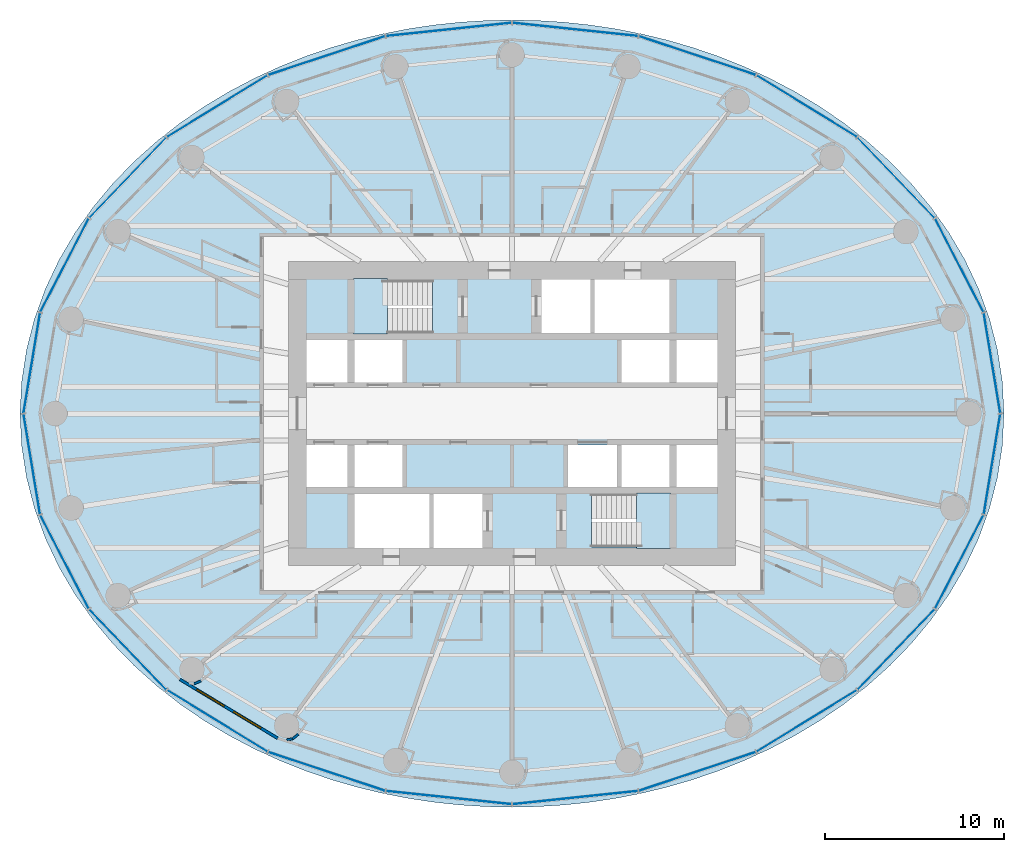
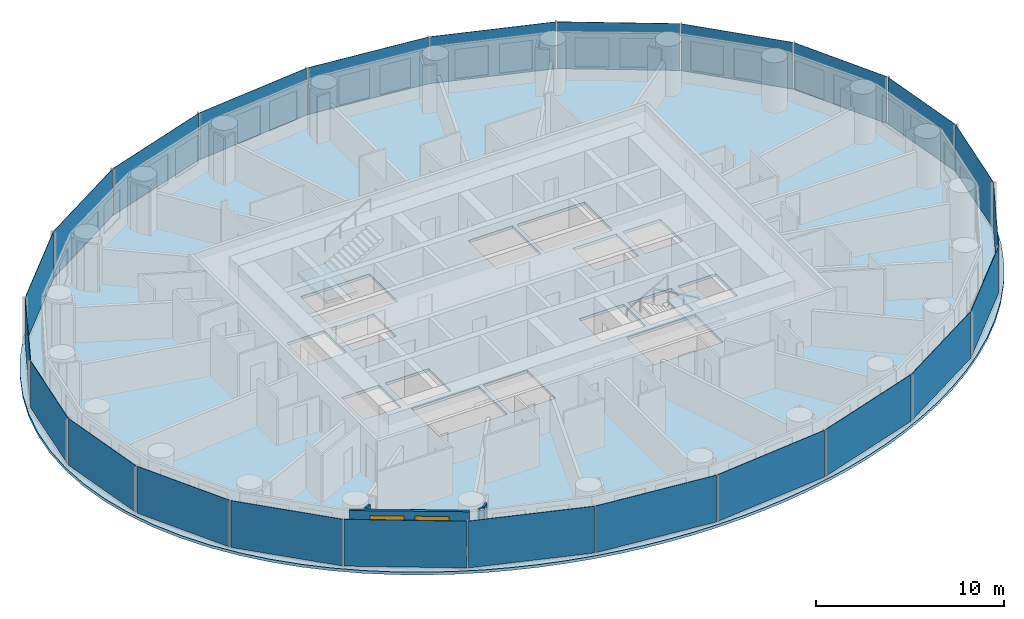
# One storey, part 5 of 14: 24 plates, 4 walls, 3 slabs, 2 windows, 2 openings, 6 elements without a shape of their own.
"""IFC4 building model written with IfcOpenShell, lengths in metres."""

from ifc_helpers import new_model, si_unit, direction, frame, frame_2d, origin, origin_2d, place, context, subcontext, project, spatial, polyline, rectangle, outline, extrude, material, layer, layer_set, type_object, element, fill, aggregate, save


model = new_model("IFC4")

# Units and contexts
model_context = context("Model", 3, precision=1e-05, world=origin(), true_north=direction((0.0, 1.0)))
body_context = subcontext(model_context, "Body", "Model", "MODEL_VIEW")
ifc_project = project(units=[si_unit("LENGTHUNIT", "METRE"), si_unit("AREAUNIT", "SQUARE_METRE"), si_unit("VOLUMEUNIT", "CUBIC_METRE"), si_unit("PLANEANGLEUNIT", "RADIAN"), si_unit("MASSUNIT", "GRAM", prefix="KILO")], contexts=[model_context])

# Site, building, storey
site_placement = place(None, origin())
site = spatial("IfcSite", under=ifc_project, at=site_placement, CompositionType="ELEMENT")
building_placement = place(site_placement, origin())
building = spatial("IfcBuilding", under=site, at=building_placement, Name="Hankou Lantern Tower", CompositionType="ELEMENT")
storey_placement = place(building_placement, frame((0.0, 0.0, 63.89990234375)))
storey = spatial("IfcBuildingStorey", under=building, at=storey_placement, Name="L15", CompositionType="ELEMENT", Elevation=63.89990234375)

# Curtain wall, plates
ifc_material_1 = material(Name="Glass, dark grey tinted laminated", Category="glass")
curtain_wall_type = type_object("IfcCurtainWallType", Name="CWA OUTER SKIN LOW-RISE", PredefinedType="USERDEFINED", material=ifc_material_1)
curtain_wall_1_placement = place(storey_placement, origin())
curtain_wall_1 = element("IfcCurtainWall", 1, at=curtain_wall_1_placement, inside=storey, type_object=curtain_wall_type, Name="CWA L15 OS1", ObjectType="OUTER SKIN LOW-RISE", PredefinedType="USERDEFINED")
ifc_material_2 = material(Name="Glass, dark grey tinted laminated", Category="glass")
ifc_layer_1 = layer(ifc_material_2, 0.02392578125)
ifc_layer_set_1 = layer_set([ifc_layer_1], Name="Glass, dark grey tinted laminated")
plate_type = type_object("IfcPlateType", Name="PN1 OUTER SKIN GLASS PANEL", PredefinedType="CURTAIN_PANEL", material=ifc_layer_set_1)
plate_1_placement = place(storey_placement, frame((26.8349609375, 2.826416015625, 0.080078125), z_axis=(0.0, 0.0, 1.0), x_axis=(-0.162381515188, 0.986728049427, 0.0)))
plate_1 = element("IfcPlate", 2, at=plate_1_placement, type_object=plate_type, Name="CWA glass panel 1", PredefinedType="CURTAIN_PANEL", context=body_context, shape_type="SweptSolid", body=[
    extrude(rectangle(XDim=5.648681640625, YDim=0.02392578125, at=origin_2d()), origin(), (0.0, 0.0, 1.0), 3.0400390625),
])
plate_2_placement = place(storey_placement, frame((25.006103515625, 8.286376953125, 0.080078125), z_axis=(0.0, 0.0, 1.0), x_axis=(-0.459791091957, 0.888027112062, 0.0)))
plate_2 = element("IfcPlate", 3, at=plate_2_placement, type_object=plate_type, Name="CWA glass panel 2", PredefinedType="CURTAIN_PANEL", context=body_context, shape_type="SweptSolid", body=[
    extrude(rectangle(XDim=5.8515625, YDim=0.02392578125, at=origin_2d()), origin(), (0.0, 0.0, 1.0), 3.0400390625),
])
plate_3_placement = place(storey_placement, frame((21.47314453125, 13.181640625, 0.080078125), z_axis=(0.0, 0.0, 1.0), x_axis=(-0.692215809936, 0.721690565599, 0.0)))
plate_3 = element("IfcPlate", 4, at=plate_3_placement, type_object=plate_type, Name="CWA glass panel 3", PredefinedType="CURTAIN_PANEL", context=body_context, shape_type="SweptSolid", body=[
    extrude(rectangle(XDim=6.1875, YDim=0.02392578125, at=origin_2d()), origin(), (0.0, 0.0, 1.0), 3.0400390625),
])
plate_4_placement = place(storey_placement, frame((16.47705078125, 17.1787109375, 0.080078125), z_axis=(0.0, 0.0, 1.0), x_axis=(-0.852237151549, 0.523155653242, 0.0)))
plate_4 = element("IfcPlate", 5, at=plate_4_placement, type_object=plate_type, Name="CWA glass panel 4", PredefinedType="CURTAIN_PANEL", context=body_context, shape_type="SweptSolid", body=[
    extrude(rectangle(XDim=6.554443359375, YDim=0.02392578125, at=origin_2d()), origin(), (0.0, 0.0, 1.0), 3.0400390625),
])
plate_5_placement = place(storey_placement, frame((10.35791015625, 20.0048828125, 0.080078125), z_axis=(0.0, 0.0, 1.0), x_axis=(-0.949240677293, 0.31455068999, 0.0)))
plate_5 = element("IfcPlate", 6, at=plate_5_placement, type_object=plate_type, Name="CWA glass panel 5", PredefinedType="CURTAIN_PANEL", context=body_context, shape_type="SweptSolid", body=[
    extrude(rectangle(XDim=6.856201171875, YDim=0.02392578125, at=origin_2d()), origin(), (0.0, 0.0, 1.0), 3.0400390625),
])
plate_6_placement = place(storey_placement, frame((3.532958984375, 21.468017578125, 0.080078125), z_axis=(0.0, 0.0, 1.0), x_axis=(-0.994499359107, 0.104742659579, 0.0)))
plate_6 = element("IfcPlate", 7, at=plate_6_placement, type_object=plate_type, Name="CWA glass panel 6", PredefinedType="CURTAIN_PANEL", context=body_context, shape_type="SweptSolid", body=[
    extrude(rectangle(XDim=7.02490234375, YDim=0.02392578125, at=origin_2d()), origin(), (0.0, 0.0, 1.0), 3.0400390625),
])
aggregate(curtain_wall_1, [plate_1, plate_2, plate_3, plate_4, plate_5, plate_6])

curtain_wall_2_placement = place(storey_placement, origin())
curtain_wall_2 = element("IfcCurtainWall", 8, at=curtain_wall_2_placement, inside=storey, type_object=curtain_wall_type, Name="CWA L15 OS2", ObjectType="OUTER SKIN LOW-RISE", PredefinedType="USERDEFINED")
plate_7_placement = place(storey_placement, frame((-3.532958984375, 21.468017578125, 0.080078125), z_axis=(0.0, 0.0, 1.0), x_axis=(-0.994499359107, -0.104742659579, 0.0)))
plate_7 = element("IfcPlate", 9, at=plate_7_placement, type_object=plate_type, Name="CWA glass panel 1", PredefinedType="CURTAIN_PANEL", context=body_context, shape_type="SweptSolid", body=[
    extrude(rectangle(XDim=7.02490234375, YDim=0.02392578125, at=origin_2d()), origin(), (0.0, 0.0, 1.0), 3.0400390625),
])
plate_8_placement = place(storey_placement, frame((-10.35791015625, 20.0048828125, 0.080078125), z_axis=(0.0, 0.0, 1.0), x_axis=(-0.949240677293, -0.31455068999, 0.0)))
plate_8 = element("IfcPlate", 10, at=plate_8_placement, type_object=plate_type, Name="CWA glass panel 2", PredefinedType="CURTAIN_PANEL", context=body_context, shape_type="SweptSolid", body=[
    extrude(rectangle(XDim=6.856201171875, YDim=0.02392578125, at=origin_2d()), origin(), (0.0, 0.0, 1.0), 3.0400390625),
])
plate_9_placement = place(storey_placement, frame((-16.47705078125, 17.1787109375, 0.080078125), z_axis=(0.0, 0.0, 1.0), x_axis=(-0.852237151549, -0.523155653242, 0.0)))
plate_9 = element("IfcPlate", 11, at=plate_9_placement, type_object=plate_type, Name="CWA glass panel 3", PredefinedType="CURTAIN_PANEL", context=body_context, shape_type="SweptSolid", body=[
    extrude(rectangle(XDim=6.554443359375, YDim=0.02392578125, at=origin_2d()), origin(), (0.0, 0.0, 1.0), 3.0400390625),
])
plate_10_placement = place(storey_placement, frame((-21.47314453125, 13.181640625, 0.080078125), z_axis=(0.0, 0.0, 1.0), x_axis=(-0.692215809936, -0.721690565599, 0.0)))
plate_10 = element("IfcPlate", 12, at=plate_10_placement, type_object=plate_type, Name="CWA glass panel 4", PredefinedType="CURTAIN_PANEL", context=body_context, shape_type="SweptSolid", body=[
    extrude(rectangle(XDim=6.1875, YDim=0.02392578125, at=origin_2d()), origin(), (0.0, 0.0, 1.0), 3.0400390625),
])
plate_11_placement = place(storey_placement, frame((-25.006103515625, 8.286376953125, 0.080078125), z_axis=(0.0, 0.0, 1.0), x_axis=(-0.459791091957, -0.888027112062, 0.0)))
plate_11 = element("IfcPlate", 13, at=plate_11_placement, type_object=plate_type, Name="CWA glass panel 5", PredefinedType="CURTAIN_PANEL", context=body_context, shape_type="SweptSolid", body=[
    extrude(rectangle(XDim=5.8515625, YDim=0.02392578125, at=origin_2d()), origin(), (0.0, 0.0, 1.0), 3.0400390625),
])
plate_12_placement = place(storey_placement, frame((-26.8349609375, 2.826416015625, 0.080078125), z_axis=(0.0, 0.0, 1.0), x_axis=(-0.162381515188, -0.986728049427, 0.0)))
plate_12 = element("IfcPlate", 14, at=plate_12_placement, type_object=plate_type, Name="CWA glass panel 6", PredefinedType="CURTAIN_PANEL", context=body_context, shape_type="SweptSolid", body=[
    extrude(rectangle(XDim=5.648681640625, YDim=0.02392578125, at=origin_2d()), origin(), (0.0, 0.0, 1.0), 3.0400390625),
])
aggregate(curtain_wall_2, [plate_7, plate_8, plate_9, plate_10, plate_11, plate_12])

curtain_wall_3_placement = place(storey_placement, origin())
curtain_wall_3 = element("IfcCurtainWall", 15, at=curtain_wall_3_placement, inside=storey, type_object=curtain_wall_type, Name="CWA L15 OS3", ObjectType="OUTER SKIN LOW-RISE", PredefinedType="USERDEFINED")
plate_13_placement = place(storey_placement, frame((-26.8349609375, -2.826416015625, 0.080078125), z_axis=(0.0, 0.0, 1.0), x_axis=(0.162381515188, -0.986728049427, 0.0)))
plate_13 = element("IfcPlate", 16, at=plate_13_placement, type_object=plate_type, Name="CWA glass panel 1", PredefinedType="CURTAIN_PANEL", context=body_context, shape_type="SweptSolid", body=[
    extrude(rectangle(XDim=5.648681640625, YDim=0.02392578125, at=origin_2d()), origin(), (0.0, 0.0, 1.0), 3.0400390625),
])
plate_14_placement = place(storey_placement, frame((-25.006103515625, -8.286376953125, 0.080078125), z_axis=(0.0, 0.0, 1.0), x_axis=(0.459791091957, -0.888027112062, 0.0)))
plate_14 = element("IfcPlate", 17, at=plate_14_placement, type_object=plate_type, Name="CWA glass panel 2", PredefinedType="CURTAIN_PANEL", context=body_context, shape_type="SweptSolid", body=[
    extrude(rectangle(XDim=5.8515625, YDim=0.02392578125, at=origin_2d()), origin(), (0.0, 0.0, 1.0), 3.0400390625),
])
plate_15_placement = place(storey_placement, frame((-21.47314453125, -13.181640625, 0.080078125), z_axis=(0.0, 0.0, 1.0), x_axis=(0.692215809936, -0.721690565599, 0.0)))
plate_15 = element("IfcPlate", 18, at=plate_15_placement, type_object=plate_type, Name="CWA glass panel 3", PredefinedType="CURTAIN_PANEL", context=body_context, shape_type="SweptSolid", body=[
    extrude(rectangle(XDim=6.1875, YDim=0.02392578125, at=origin_2d()), origin(), (0.0, 0.0, 1.0), 3.0400390625),
])
plate_16_placement = place(storey_placement, frame((-16.47705078125, -17.1787109375, 0.080078125), z_axis=(0.0, 0.0, 1.0), x_axis=(0.852237151549, -0.523155653242, 0.0)))
plate_16 = element("IfcPlate", 19, at=plate_16_placement, type_object=plate_type, Name="CWA glass panel 4", PredefinedType="CURTAIN_PANEL", context=body_context, shape_type="SweptSolid", body=[
    extrude(rectangle(XDim=6.554443359375, YDim=0.02392578125, at=origin_2d()), origin(), (0.0, 0.0, 1.0), 3.0400390625),
])
plate_17_placement = place(storey_placement, frame((-10.35791015625, -20.0048828125, 0.080078125), z_axis=(0.0, 0.0, 1.0), x_axis=(0.949240677293, -0.31455068999, 0.0)))
plate_17 = element("IfcPlate", 20, at=plate_17_placement, type_object=plate_type, Name="CWA glass panel 5", PredefinedType="CURTAIN_PANEL", context=body_context, shape_type="SweptSolid", body=[
    extrude(rectangle(XDim=6.856201171875, YDim=0.02392578125, at=origin_2d()), origin(), (0.0, 0.0, 1.0), 3.0400390625),
])
plate_18_placement = place(storey_placement, frame((-3.532958984375, -21.468017578125, 0.080078125), z_axis=(0.0, 0.0, 1.0), x_axis=(0.994499359107, -0.104742659579, 0.0)))
plate_18 = element("IfcPlate", 21, at=plate_18_placement, type_object=plate_type, Name="CWA glass panel 6", PredefinedType="CURTAIN_PANEL", context=body_context, shape_type="SweptSolid", body=[
    extrude(rectangle(XDim=7.02490234375, YDim=0.02392578125, at=origin_2d()), origin(), (0.0, 0.0, 1.0), 3.0400390625),
])
aggregate(curtain_wall_3, [plate_13, plate_14, plate_15, plate_16, plate_17, plate_18])

curtain_wall_4_placement = place(storey_placement, origin())
curtain_wall_4 = element("IfcCurtainWall", 22, at=curtain_wall_4_placement, inside=storey, type_object=curtain_wall_type, Name="CWA L15 OS4", ObjectType="OUTER SKIN LOW-RISE", PredefinedType="USERDEFINED")
plate_19_placement = place(storey_placement, frame((3.532958984375, -21.468017578125, 0.080078125), z_axis=(0.0, 0.0, 1.0), x_axis=(0.994499359107, 0.104742659579, 0.0)))
plate_19 = element("IfcPlate", 23, at=plate_19_placement, type_object=plate_type, Name="CWA glass panel 1", PredefinedType="CURTAIN_PANEL", context=body_context, shape_type="SweptSolid", body=[
    extrude(rectangle(XDim=7.02490234375, YDim=0.02392578125, at=origin_2d()), origin(), (0.0, 0.0, 1.0), 3.0400390625),
])
plate_20_placement = place(storey_placement, frame((10.35791015625, -20.0048828125, 0.080078125), z_axis=(0.0, 0.0, 1.0), x_axis=(0.949240677293, 0.31455068999, 0.0)))
plate_20 = element("IfcPlate", 24, at=plate_20_placement, type_object=plate_type, Name="CWA glass panel 2", PredefinedType="CURTAIN_PANEL", context=body_context, shape_type="SweptSolid", body=[
    extrude(rectangle(XDim=6.856201171875, YDim=0.02392578125, at=origin_2d()), origin(), (0.0, 0.0, 1.0), 3.0400390625),
])
plate_21_placement = place(storey_placement, frame((16.47705078125, -17.1787109375, 0.080078125), z_axis=(0.0, 0.0, 1.0), x_axis=(0.852237151549, 0.523155653242, 0.0)))
plate_21 = element("IfcPlate", 25, at=plate_21_placement, type_object=plate_type, Name="CWA glass panel 3", PredefinedType="CURTAIN_PANEL", context=body_context, shape_type="SweptSolid", body=[
    extrude(rectangle(XDim=6.554443359375, YDim=0.02392578125, at=origin_2d()), origin(), (0.0, 0.0, 1.0), 3.0400390625),
])
plate_22_placement = place(storey_placement, frame((21.47314453125, -13.181640625, 0.080078125), z_axis=(0.0, 0.0, 1.0), x_axis=(0.692215809936, 0.721690565599, 0.0)))
plate_22 = element("IfcPlate", 26, at=plate_22_placement, type_object=plate_type, Name="CWA glass panel 4", PredefinedType="CURTAIN_PANEL", context=body_context, shape_type="SweptSolid", body=[
    extrude(rectangle(XDim=6.1875, YDim=0.02392578125, at=origin_2d()), origin(), (0.0, 0.0, 1.0), 3.0400390625),
])
plate_23_placement = place(storey_placement, frame((25.006103515625, -8.286376953125, 0.080078125), z_axis=(0.0, 0.0, 1.0), x_axis=(0.459791091957, 0.888027112062, 0.0)))
plate_23 = element("IfcPlate", 27, at=plate_23_placement, type_object=plate_type, Name="CWA glass panel 5", PredefinedType="CURTAIN_PANEL", context=body_context, shape_type="SweptSolid", body=[
    extrude(rectangle(XDim=5.8515625, YDim=0.02392578125, at=origin_2d()), origin(), (0.0, 0.0, 1.0), 3.0400390625),
])
plate_24_placement = place(storey_placement, frame((26.8349609375, -2.826416015625, 0.080078125), z_axis=(0.0, 0.0, 1.0), x_axis=(0.162381515188, 0.986728049427, 0.0)))
plate_24 = element("IfcPlate", 28, at=plate_24_placement, type_object=plate_type, Name="CWA glass panel 6", PredefinedType="CURTAIN_PANEL", context=body_context, shape_type="SweptSolid", body=[
    extrude(rectangle(XDim=5.648681640625, YDim=0.02392578125, at=origin_2d()), origin(), (0.0, 0.0, 1.0), 3.0400390625),
])
aggregate(curtain_wall_4, [plate_19, plate_20, plate_21, plate_22, plate_23, plate_24])

# Slab
ifc_material_3 = material(Name="Concrete C50", Category="concrete")
ifc_layer_2 = layer(ifc_material_3, 0.179931640625)
ifc_layer_set_2 = layer_set([ifc_layer_2], Name="Concrete C50")
slab_type_1 = type_object("IfcSlabType", Name="S1 CONCRETE FLOOR SLAB 180", PredefinedType="FLOOR", material=ifc_layer_set_2)
slab_1_placement = place(storey_placement, frame((0.0, 0.0, -0.179931640625)))
element("IfcSlab", 29, at=slab_1_placement, inside=storey, type_object=slab_type_1, Name="Floor slab L15", PredefinedType="FLOOR", context=body_context, shape_type="SweptSolid", body=[
    extrude(outline(polyline([(27.5, 0.0), (27.408203125, 1.79638671875), (27.135009765625, 3.572509765625), (26.6875, 5.308349609375), (26.076171875, 6.987060546875), (25.3154296875, 8.593505859375), (24.420654296875, 10.115478515625), (23.40966796875, 11.54443359375), (22.29931640625, 12.87451171875), (21.1064453125, 14.102783203125), (19.846435546875, 15.228759765625), (18.533447265625, 16.25341796875), (17.17919921875, 17.17919921875), (15.794189453125, 18.009765625), (14.38671875, 18.749267578125), (12.964111328125, 19.402099609375), (11.53125, 19.972412109375), (10.09228515625, 20.46484375), (8.650146484375, 20.88330078125), (7.20703125, 21.23095703125), (5.763916015625, 21.51123046875), (4.32177734375, 21.7265625), (2.88037109375, 21.87890625), (1.43994140625, 21.9697265625), (0.0, 22.0), (-1.43994140625, 21.9697265625), (-2.88037109375, 21.87890625), (-4.32177734375, 21.7265625), (-5.763916015625, 21.51123046875), (-7.20703125, 21.23095703125), (-8.650146484375, 20.88330078125), (-10.09228515625, 20.46484375), (-11.53125, 19.972412109375), (-12.964111328125, 19.402099609375), (-14.38671875, 18.749267578125), (-15.794189453125, 18.009765625), (-17.17919921875, 17.17919921875), (-18.533447265625, 16.25341796875), (-19.846435546875, 15.228759765625), (-21.1064453125, 14.102783203125), (-22.29931640625, 12.87451171875), (-23.40966796875, 11.54443359375), (-24.420654296875, 10.115478515625), (-25.3154296875, 8.593505859375), (-26.076171875, 6.987060546875), (-26.6875, 5.308349609375), (-27.135009765625, 3.572509765625), (-27.408203125, 1.79638671875), (-27.5, 0.0), (-27.408203125, -1.79638671875), (-27.135009765625, -3.572509765625), (-26.6875, -5.308349609375), (-26.076171875, -6.987060546875), (-25.3154296875, -8.593505859375), (-24.420654296875, -10.115478515625), (-23.40966796875, -11.54443359375), (-22.29931640625, -12.87451171875), (-21.1064453125, -14.102783203125), (-19.846435546875, -15.228759765625), (-18.533447265625, -16.25341796875), (-17.17919921875, -17.17919921875), (-15.794189453125, -18.009765625), (-14.38671875, -18.749267578125), (-12.964111328125, -19.402099609375), (-11.53125, -19.972412109375), (-10.09228515625, -20.46484375), (-8.650146484375, -20.88330078125), (-7.20703125, -21.23095703125), (-5.763916015625, -21.51123046875), (-4.32177734375, -21.7265625), (-2.88037109375, -21.87890625), (-1.43994140625, -21.9697265625), (0.0, -22.0), (1.43994140625, -21.9697265625), (2.88037109375, -21.87890625), (4.32177734375, -21.7265625), (5.763916015625, -21.51123046875), (7.20703125, -21.23095703125), (8.650146484375, -20.88330078125), (10.09228515625, -20.46484375), (11.53125, -19.972412109375), (12.964111328125, -19.402099609375), (14.38671875, -18.749267578125), (15.794189453125, -18.009765625), (17.17919921875, -17.17919921875), (18.533447265625, -16.25341796875), (19.846435546875, -15.228759765625), (21.1064453125, -14.102783203125), (22.29931640625, -12.87451171875), (23.40966796875, -11.54443359375), (24.420654296875, -10.115478515625), (25.3154296875, -8.593505859375), (26.076171875, -6.987060546875), (26.6875, -5.308349609375), (27.135009765625, -3.572509765625), (27.408203125, -1.79638671875), (27.5, 0.0)]), holes=[polyline([(-11.5, 4.10009765625), (-9.199951171875, 4.10009765625), (-9.199951171875, 1.75), (-11.5, 1.75), (-11.5, 4.10009765625)]), polyline([(-8.800048828125, 4.10009765625), (-6.125, 4.10009765625), (-6.125, 1.75), (-8.800048828125, 1.75), (-8.800048828125, 4.10009765625)]), polyline([(6.125, 4.10009765625), (8.800048828125, 4.10009765625), (8.800048828125, 1.75), (6.125, 1.75), (6.125, 4.10009765625)]), polyline([(9.199951171875, 4.10009765625), (11.5, 4.10009765625), (11.5, 1.75), (9.199951171875, 1.75), (9.199951171875, 4.10009765625)]), polyline([(-11.5, -1.75), (-9.199951171875, -1.75), (-9.199951171875, -4.10009765625), (-11.5, -4.10009765625), (-11.5, -1.75)]), polyline([(-8.800048828125, -1.75), (-6.125, -1.75), (-6.125, -4.10009765625), (-8.800048828125, -4.10009765625), (-8.800048828125, -1.75)]), polyline([(3.125, -1.75), (5.875, -1.75), (5.875, -4.10009765625), (3.125, -4.10009765625), (3.125, -1.75)]), polyline([(6.125, -1.75), (8.800048828125, -1.75), (8.800048828125, -4.10009765625), (6.125, -4.10009765625), (6.125, -1.75)]), polyline([(9.199951171875, -1.75), (11.5, -1.75), (11.5, -4.10009765625), (9.199951171875, -4.10009765625), (9.199951171875, -1.75)]), polyline([(1.64990234375, 7.5), (4.375, 7.5), (4.375, 4.5), (1.64990234375, 4.5), (1.64990234375, 7.5)]), polyline([(-4.375, -4.5), (-1.64990234375, -4.5), (-1.64990234375, -7.5), (-4.375, -7.5), (-4.375, -4.5)]), polyline([(-8.699951171875, 7.449951171875), (-4.449951171875, 7.449951171875), (-4.449951171875, 4.5), (-8.699951171875, 4.5), (-8.699951171875, 7.449951171875)]), polyline([(4.449951171875, -4.5), (8.699951171875, -4.5), (8.699951171875, -7.449951171875), (4.449951171875, -7.449951171875), (4.449951171875, -4.5)]), polyline([(4.625, 7.5), (8.800048828125, 7.5), (8.800048828125, 4.5), (4.625, 4.5), (4.625, 7.5)]), polyline([(-8.800048828125, -4.5), (-4.625, -4.5), (-4.625, -7.5), (-8.800048828125, -7.5), (-8.800048828125, -4.5)])]), origin(), (0.0, 0.0, 1.0), 0.179931640625),
])

# Stair, slab
ifc_material_4 = material(Name="Concrete C40", Category="concrete")
stair_type = type_object("IfcStairType", Name="ST33 CORE STAIR 3300 RISE", PredefinedType="HALF_TURN_STAIR", material=ifc_material_4)
stair_1_placement = place(storey_placement, origin())
stair_1 = element("IfcStair", 30, at=stair_1_placement, inside=storey, type_object=stair_type, Name="Stair STA L15", PredefinedType="HALF_TURN_STAIR")
ifc_material_5 = material(Name="Concrete C40", Category="concrete")
ifc_layer_3 = layer(ifc_material_5, 0.199951171875)
ifc_layer_set_3 = layer_set([ifc_layer_3], Name="Concrete C40")
slab_type_2 = type_object("IfcSlabType", Name="SL1 STAIR LANDING 200", PredefinedType="LANDING", material=ifc_layer_set_3)
slab_2_placement = place(storey_placement, frame((0.0, 0.0, 1.37158203125)))
slab_2 = element("IfcSlab", 31, at=slab_2_placement, type_object=slab_type_2, Name="STA landing 1", PredefinedType="LANDING", context=body_context, shape_type="SweptSolid", body=[
    extrude(outline(polyline([(-8.85009765625, 4.449951171875), (-6.949951171875, 4.449951171875), (-6.949951171875, 7.550048828125), (-8.85009765625, 7.550048828125), (-8.85009765625, 4.449951171875)])), origin(), (0.0, 0.0, 1.0), 0.199951171875),
])
aggregate(stair_1, [slab_2])

stair_2_placement = place(storey_placement, origin())
stair_2 = element("IfcStair", 32, at=stair_2_placement, inside=storey, type_object=stair_type, Name="Stair STB L15", PredefinedType="HALF_TURN_STAIR")
slab_3_placement = place(storey_placement, frame((0.0, 0.0, 1.37158203125)))
slab_3 = element("IfcSlab", 33, at=slab_3_placement, type_object=slab_type_2, Name="STB landing 1", PredefinedType="LANDING", context=body_context, shape_type="SweptSolid", body=[
    extrude(outline(polyline([(8.85009765625, -4.449951171875), (6.949951171875, -4.449951171875), (6.949951171875, -7.550048828125), (8.85009765625, -7.550048828125), (8.85009765625, -4.449951171875)])), origin(), (0.0, 0.0, 1.0), 0.199951171875),
])
aggregate(stair_2, [slab_3])

# Wall, openings, windows
ifc_material_6 = material(Name="Aluminium spandrel panel on steel studs", Category="steel")
ifc_layer_4 = layer(ifc_material_6, 0.14990234375)
ifc_layer_set_4 = layer_set([ifc_layer_4], Name="Aluminium spandrel panel on steel studs")
wall_type_1 = type_object("IfcWallType", Name="EW1 INNER SKIN WALL 150", PredefinedType="ELEMENTEDWALL", material=ifc_layer_set_4)
wall_1_placement = place(storey_placement, frame((-18.569580078125, -14.855712890625, 0.0), z_axis=(0.0, 0.0, 1.0), x_axis=(0.856983180864, -0.515344377787, 0.0)))
wall_1 = element("IfcWall", 34, at=wall_1_placement, inside=storey, type_object=wall_type_1, Name="Inner skin R16-R17 L15", PredefinedType="ELEMENTEDWALL", context=body_context, shape_type="SweptSolid", body=[
    extrude(rectangle(XDim=6.386474609375, YDim=0.14990234375, at=frame_2d((3.193359375, 0.0))), origin(), (0.0, 0.0, 1.0), 3.1201171875),
])
opening_1_placement = place(wall_1_placement, frame((1.09326171875, 0.0, 0.89990234375)))
opening_1 = element("IfcOpeningElement", 35, at=opening_1_placement, cuts=wall_1, Name="Opening W1", PredefinedType="OPENING", context=body_context, shape_type="SweptSolid", body=[
    extrude(rectangle(XDim=1.800048828125, YDim=1.89990234375, at=frame_2d((0.89990234375, 0.949951171875))), frame((0.0, 0.0849609375, 0.0), z_axis=(0.0, -1.0, 0.0), x_axis=(1.0, 0.0, 0.0)), (0.0, 0.0, 1.0), 0.169921875),
])
opening_2_placement = place(wall_1_placement, frame((3.4931640625, 0.0, 0.89990234375)))
opening_2 = element("IfcOpeningElement", 36, at=opening_2_placement, cuts=wall_1, Name="Opening W1", PredefinedType="OPENING", context=body_context, shape_type="SweptSolid", body=[
    extrude(rectangle(XDim=1.800048828125, YDim=1.89990234375, at=frame_2d((0.89990234375, 0.949951171875))), frame((0.0, 0.0849609375, 0.0), z_axis=(0.0, -1.0, 0.0), x_axis=(1.0, 0.0, 0.0)), (0.0, 0.0, 1.0), 0.169921875),
])
ifc_material_7 = material(Name="Aluminium framed double glazed window", Category="aluminium")
window_type = type_object("IfcWindowType", Name="W1 GUEST ROOM WINDOW 1800X1900", PartitioningType="DOUBLE_PANEL_VERTICAL", PredefinedType="WINDOW", material=ifc_material_7)
window_1_placement = place(opening_1_placement, origin())
window_1 = element("IfcWindow", 37, at=window_1_placement, inside=storey, type_object=window_type, Name="Window R16.1 L15", OverallHeight=1.89990234375, OverallWidth=1.800048828125, PartitioningType="SINGLE_PANEL", PredefinedType="WINDOW", context=body_context, shape_type="SweptSolid", body=[
    extrude(rectangle(XDim=1.800048828125, YDim=1.89990234375, at=frame_2d((0.89990234375, 0.949951171875))), frame((0.0, 0.030029296875, 0.0), z_axis=(0.0, -1.0, 0.0), x_axis=(1.0, 0.0, 0.0)), (0.0, 0.0, 1.0), 0.06005859375),
])
fill(opening_1, window_1)
window_2_placement = place(opening_2_placement, origin())
window_2 = element("IfcWindow", 38, at=window_2_placement, inside=storey, type_object=window_type, Name="Window R16.2 L15", OverallHeight=1.89990234375, OverallWidth=1.800048828125, PartitioningType="SINGLE_PANEL", PredefinedType="WINDOW", context=body_context, shape_type="SweptSolid", body=[
    extrude(rectangle(XDim=1.800048828125, YDim=1.89990234375, at=frame_2d((0.89990234375, 0.949951171875))), frame((0.0, 0.030029296875, 0.0), z_axis=(0.0, -1.0, 0.0), x_axis=(1.0, 0.0, 0.0)), (0.0, 0.0, 1.0), 0.06005859375),
])
fill(opening_2, window_2)

# Walls
ifc_material_8 = material(Name="Masonry lightweight concrete block", Category="masonry")
ifc_layer_5 = layer(ifc_material_8, 0.1201171875)
ifc_layer_set_5 = layer_set([ifc_layer_5], Name="Masonry lightweight concrete block")
wall_type_2 = type_object("IfcWallType", Name="IW4 PARTITION 120", PredefinedType="PARTITIONING", material=ifc_layer_set_5)
wall_2_placement = place(storey_placement, frame((-17.38720703125, -14.94384765625, 0.0), z_axis=(0.0, 0.0, 1.0), x_axis=(-0.916036698064, -0.401094462441, 0.0)))
element("IfcWall", 39, at=wall_2_placement, inside=storey, type_object=wall_type_2, Name="Column casing R16", PredefinedType="PARTITIONING", context=body_context, shape_type="SweptSolid", body=[
    extrude(rectangle(XDim=0.418212890625, YDim=0.1201171875, at=frame_2d((0.208984375, 0.0))), origin(), (0.0, 0.0, 1.0), 3.1201171875),
])
wall_3_placement = place(storey_placement, frame((-11.93603515625, -17.9189453125, 0.0), z_axis=(0.0, 0.0, 1.0), x_axis=(-0.775023088441, -0.631932917629, 0.0)))
element("IfcWall", 40, at=wall_3_placement, inside=storey, type_object=wall_type_2, Name="Column casing R17", PredefinedType="PARTITIONING", context=body_context, shape_type="SweptSolid", body=[
    extrude(rectangle(XDim=0.41796875, YDim=0.1201171875, at=frame_2d((0.208984375, 0.0))), origin(), (0.0, 0.0, 1.0), 3.1201171875),
])
wall_4_placement = place(storey_placement, frame((-12.260009765625, -18.18310546875, 0.0), z_axis=(0.0, 0.0, 1.0), x_axis=(-0.987218661664, -0.159371622511, 0.0)))
element("IfcWall", 41, at=wall_4_placement, inside=storey, type_object=wall_type_2, Name="Column casing R17", PredefinedType="PARTITIONING", context=body_context, shape_type="SweptSolid", body=[
    extrude(rectangle(XDim=0.330810546875, YDim=0.1201171875, at=frame_2d((0.16552734375, 0.0))), origin(), (0.0, 0.0, 1.0), 3.1201171875),
])

save(model, "model.ifc")
